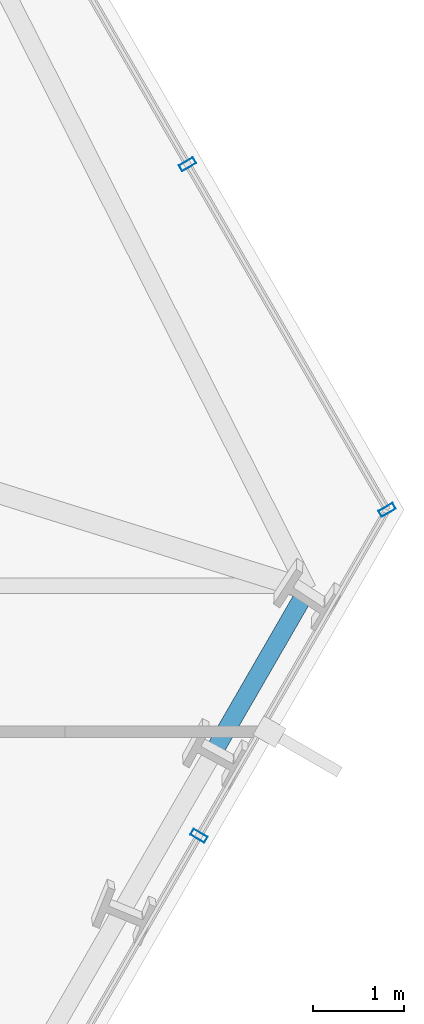
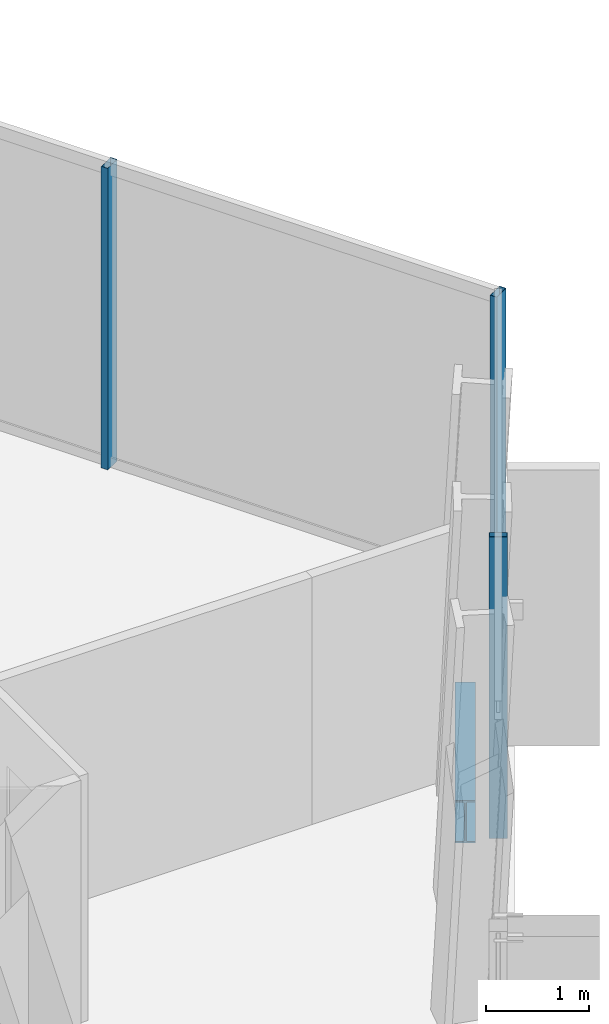
# One storey, part 16 of 33: 3 members, 1 beam, 2 elements without a shape of their own.
"""IFC4 building model written with IfcOpenShell, lengths in metres."""

from ifc_helpers import new_model, si_unit, direction, frame, origin, origin_2d, place, context, subcontext, project, spatial, hollow_rectangle, i_section, extrude, material, layer, layer_set, material_profile, profile_set, type_object, element, aggregate, save


model = new_model("IFC4")

# Units and contexts
model_context = context("Model", 3, precision=1e-05, world=origin(), true_north=direction((0.0, 1.0)))
body_context = subcontext(model_context, "Body", "Model", "MODEL_VIEW")
ifc_project = project(units=[si_unit("LENGTHUNIT", "METRE"), si_unit("AREAUNIT", "SQUARE_METRE"), si_unit("VOLUMEUNIT", "CUBIC_METRE"), si_unit("PLANEANGLEUNIT", "RADIAN"), si_unit("MASSUNIT", "GRAM", prefix="KILO")], contexts=[model_context])

# Site, building, storey
site_placement = place(None, origin())
site = spatial("IfcSite", under=ifc_project, at=site_placement, CompositionType="ELEMENT")
building_placement = place(site_placement, origin())
building = spatial("IfcBuilding", under=site, at=building_placement, Name="Ndaravel Arena Tower", CompositionType="ELEMENT")
storey_placement = place(building_placement, frame((0.0, 0.0, 43.60009765625)))
storey = spatial("IfcBuildingStorey", under=building, at=storey_placement, Name="L08", CompositionType="ELEMENT", Elevation=43.60009765625)

# Beam
ifc_material_1 = material(Name="Steel S355", Category="steel")
ifc_material_profile_1 = material_profile(ifc_material_1, i_section(OverallWidth=0.199951171875, OverallDepth=0.5, WebThickness=0.01025390625, FlangeThickness=0.01611328125, FilletRadius=0.02099609375, at=origin_2d()), Name="IPE 500")
ifc_profile_set_1 = profile_set([ifc_material_profile_1], Name="Steel S355")
beam_type = type_object("IfcBeamType", Name="BM-SPAN-IPE500", PredefinedType="SPANDREL", material=ifc_profile_set_1)
beam_placement = place(storey_placement, frame((63.6474609375, 16.814453125, -0.47021484375), z_axis=(0.499960381356, 0.866048276411, 0.0), x_axis=(-0.866048276411, 0.499960381356, 0.0)))
element("IfcBeam", 1, at=beam_placement, inside=storey, type_object=beam_type, Name="L08 Perimeter Spandrel Beam SP-08", PredefinedType="SPANDREL", context=body_context, shape_type="SweptSolid", body=[
    extrude(i_section(OverallWidth=0.199951171875, OverallDepth=0.5, WebThickness=0.01025390625, FlangeThickness=0.01611328125, FilletRadius=0.02099609375, at=origin_2d()), origin(), (0.0, 0.0, 1.0), 2.013427734375),
])

# Curtain wall, member
ifc_material_2 = material(Name="Aluminium", Category="aluminium")
ifc_layer_1 = layer(ifc_material_2, 0.179931640625)
ifc_layer_set_1 = layer_set([ifc_layer_1], Name="Aluminium")
curtain_wall_type_1 = type_object("IfcCurtainWallType", Name="CW-SYS-01", PredefinedType="NOTDEFINED", material=ifc_layer_set_1)
curtain_wall_1_placement = place(storey_placement, origin())
curtain_wall_1 = element("IfcCurtainWall", 2, at=curtain_wall_1_placement, inside=storey, type_object=curtain_wall_type_1, Name="L08 Faceted Crystal Curtain Wall CW-L08-E02", PredefinedType="NOTDEFINED")
ifc_material_3 = material(Name="Aluminium", Category="aluminium")
ifc_material_profile_2 = material_profile(ifc_material_3, hollow_rectangle(XDim=0.074951171875, YDim=0.179931640625, WallThickness=0.00390625, at=origin_2d()), Name="CW MULLION 75x180x4")
ifc_profile_set_2 = profile_set([ifc_material_profile_2], Name="Aluminium")
member_type = type_object("IfcMemberType", Name="MEM-CW-MUL180", PredefinedType="MULLION", material=ifc_profile_set_2)
member_1_placement = place(storey_placement, frame((63.46728515625, 15.862548828125, 0.0), z_axis=(0.0, 0.0, 1.0), x_axis=(0.5, 0.866025403784, 0.0)))
member_1 = element("IfcMember", 3, at=member_1_placement, type_object=member_type, Name="CW-L08-E02 Mullion 03", PredefinedType="MULLION", context=body_context, shape_type="SweptSolid", body=[
    extrude(hollow_rectangle(XDim=0.074951171875, YDim=0.179931640625, WallThickness=0.00390625, at=origin_2d()), origin(), (0.0, 0.0, 1.0), 3.579833984375),
])
aggregate(curtain_wall_1, [member_1])

# Curtain wall, members
ifc_material_4 = material(Name="Aluminium", Category="aluminium")
ifc_layer_2 = layer(ifc_material_4, 0.179931640625)
ifc_layer_set_2 = layer_set([ifc_layer_2], Name="Aluminium")
curtain_wall_type_2 = type_object("IfcCurtainWallType", Name="CW-SYS-03", PredefinedType="NOTDEFINED", material=ifc_layer_set_2)
curtain_wall_2_placement = place(storey_placement, origin())
curtain_wall_2 = element("IfcCurtainWall", 4, at=curtain_wall_2_placement, inside=storey, type_object=curtain_wall_type_2, Name="L08 Faceted Crystal Curtain Wall CW-L08-E03", PredefinedType="NOTDEFINED")
member_2_placement = place(storey_placement, frame((65.527099609375, 19.429931640625, 0.0), z_axis=(0.0, 0.0, 1.0), x_axis=(-0.5, 0.866025403784, 0.0)))
member_2 = element("IfcMember", 5, at=member_2_placement, type_object=member_type, Name="CW-L08-E03 Mullion 00", PredefinedType="MULLION", context=body_context, shape_type="SweptSolid", body=[
    extrude(hollow_rectangle(XDim=0.074951171875, YDim=0.179931640625, WallThickness=0.00390625, at=origin_2d()), origin(), (0.0, 0.0, 1.0), 3.579833984375),
])
member_3_placement = place(storey_placement, frame((63.343017578125, 23.212890625, 0.0), z_axis=(0.0, 0.0, 1.0), x_axis=(-0.5, 0.866025403784, 0.0)))
member_3 = element("IfcMember", 6, at=member_3_placement, type_object=member_type, Name="CW-L08-E03 Mullion 01", PredefinedType="MULLION", context=body_context, shape_type="SweptSolid", body=[
    extrude(hollow_rectangle(XDim=0.074951171875, YDim=0.179931640625, WallThickness=0.00390625, at=origin_2d()), origin(), (0.0, 0.0, 1.0), 3.579833984375),
])
aggregate(curtain_wall_2, [member_2, member_3])

save(model, "model.ifc")
